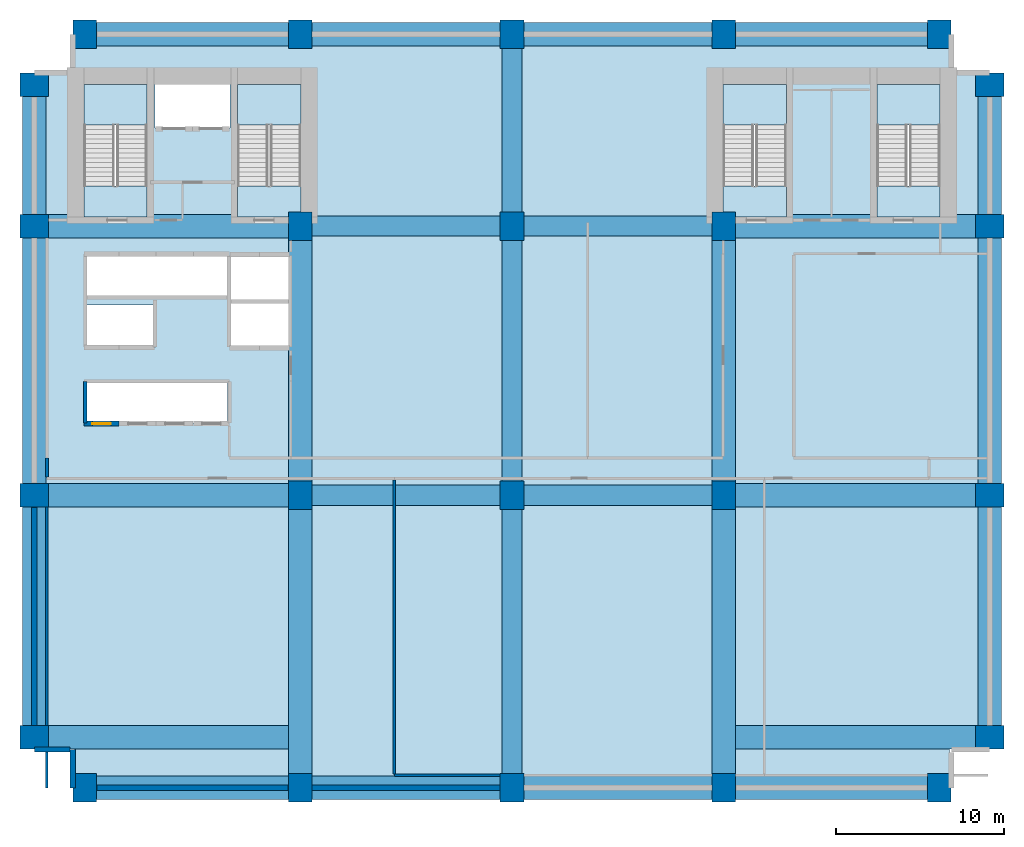
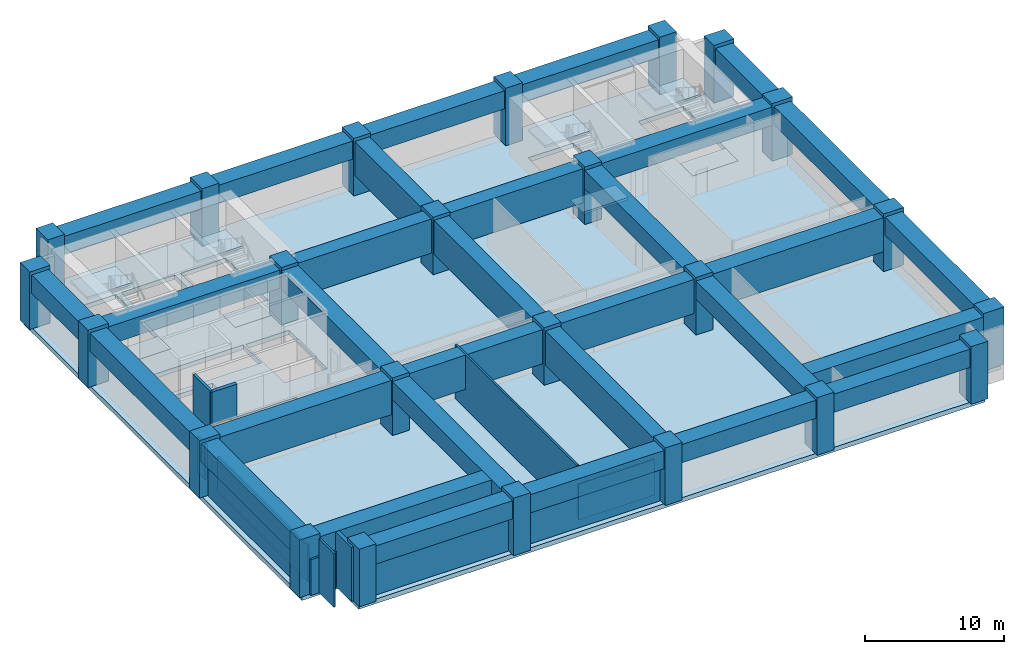
# One storey, part 1 of 6: 31 beams, 24 columns, 12 walls, 9 slabs, 1 door, 1 opening, 4 elements without a shape of their own.
"""IFC4 building model written with IfcOpenShell, lengths in metres."""

from ifc_helpers import new_model, si_unit, direction, frame, frame_2d, origin, origin_2d, place, context, subcontext, project, spatial, polyline, rectangle, outline, extrude, material, layer, layer_set, material_profile, profile_set, type_object, element, fill, aggregate, save


model = new_model("IFC4")

# Units and contexts
model_context = context("Model", 3, precision=1e-05, world=origin(), true_north=direction((0.0, 1.0)))
body_context = subcontext(model_context, "Body", "Model", "MODEL_VIEW")
ifc_project = project(units=[si_unit("LENGTHUNIT", "METRE"), si_unit("AREAUNIT", "SQUARE_METRE"), si_unit("VOLUMEUNIT", "CUBIC_METRE"), si_unit("PLANEANGLEUNIT", "RADIAN"), si_unit("MASSUNIT", "GRAM", prefix="KILO")], contexts=[model_context])

# Site, building, storey
site_placement = place(None, origin())
site = spatial("IfcSite", under=ifc_project, at=site_placement, CompositionType="ELEMENT")
building_placement = place(site_placement, origin())
building = spatial("IfcBuilding", under=site, at=building_placement, Name="Sulina Concourse Tower", CompositionType="ELEMENT")
storey_placement = place(building_placement, frame((0.0, 0.0, 17.550048828125)))
storey = spatial("IfcBuildingStorey", under=building, at=storey_placement, Name="L04", CompositionType="ELEMENT", Elevation=17.550048828125)

# Columns
ifc_material_1 = material(Name="Concrete C80/95", Category="concrete")
ifc_material_profile_1 = material_profile(ifc_material_1, rectangle(XDim=1.39990234375, YDim=1.699951171875, at=origin_2d()), Name="RC 1400x1700")
ifc_profile_set_1 = profile_set([ifc_material_profile_1], Name="Concrete C80/95")
column_type = type_object("IfcColumnType", Name="Station Podium Column 1400x1700", PredefinedType="COLUMN", material=ifc_profile_set_1)
for number, where, z_axis, x_axis, name in (
    (1, (3.60009765625, 0.60009765625, 0.0), (0.0, 0.0, 1.0), (1.0, 0.0, 0.0), "L04 structural column MC-S1"),
    (2, (3.60009765625, 45.39990234375, 0.0), (0.0, 0.0, 1.0), (1.0, 0.0, 0.0), "L04 structural column MC-N1"),
    (3, (16.39990234375, 0.60009765625, 0.0), (0.0, 0.0, 1.0), (1.0, 0.0, 0.0), "L04 structural column MC-S2"),
    (4, (16.39990234375, 45.39990234375, 0.0), (0.0, 0.0, 1.0), (1.0, 0.0, 0.0), "L04 structural column MC-N2"),
    (5, (29.0, 0.60009765625, 0.0), (0.0, 0.0, 1.0), (1.0, 0.0, 0.0), "L04 structural column MC-S3"),
    (6, (29.0, 45.39990234375, 0.0), (0.0, 0.0, 1.0), (1.0, 0.0, 0.0), "L04 structural column MC-N3"),
    (7, (41.60009765625, 0.60009765625, 0.0), (0.0, 0.0, 1.0), (1.0, 0.0, 0.0), "L04 structural column MC-S4"),
    (8, (41.60009765625, 45.39990234375, 0.0), (0.0, 0.0, 1.0), (1.0, 0.0, 0.0), "L04 structural column MC-N4"),
    (9, (54.39990234375, 0.60009765625, 0.0), (0.0, 0.0, 1.0), (1.0, 0.0, 0.0), "L04 structural column MC-S5"),
    (10, (54.39990234375, 45.39990234375, 0.0), (0.0, 0.0, 1.0), (1.0, 0.0, 0.0), "L04 structural column MC-N5"),
    (11, (0.60009765625, 3.60009765625, 0.0), (0.0, 0.0, 1.0), (0.0, 1.0, 0.0), "L04 structural column MC-W1"),
    (12, (57.39990234375, 3.60009765625, 0.0), (0.0, 0.0, 1.0), (0.0, 1.0, 0.0), "L04 structural column MC-E1"),
    (13, (0.60009765625, 18.0, 0.0), (0.0, 0.0, 1.0), (0.0, 1.0, 0.0), "L04 structural column MC-W2"),
    (14, (57.39990234375, 18.0, 0.0), (0.0, 0.0, 1.0), (0.0, 1.0, 0.0), "L04 structural column MC-E2"),
    (15, (0.60009765625, 34.0, 0.0), (0.0, 0.0, 1.0), (0.0, 1.0, 0.0), "L04 structural column MC-W3"),
    (16, (57.39990234375, 34.0, 0.0), (0.0, 0.0, 1.0), (0.0, 1.0, 0.0), "L04 structural column MC-E3"),
    (17, (0.60009765625, 42.39990234375, 0.0), (0.0, 0.0, 1.0), (0.0, 1.0, 0.0), "L04 structural column MC-W4"),
    (18, (57.39990234375, 42.39990234375, 0.0), (0.0, 0.0, 1.0), (0.0, 1.0, 0.0), "L04 structural column MC-E4"),
    (19, (16.39990234375, 18.0, 0.0), (0.0, 0.0, 1.0), (1.0, 0.0, 0.0), "L04 structural column MC-M1"),
    (20, (16.39990234375, 34.0, 0.0), (0.0, 0.0, 1.0), (1.0, 0.0, 0.0), "L04 structural column MC-C1"),
    (21, (29.0, 18.0, 0.0), (0.0, 0.0, 1.0), (1.0, 0.0, 0.0), "L04 structural column MC-M2"),
    (22, (29.0, 34.0, 0.0), (0.0, 0.0, 1.0), (1.0, 0.0, 0.0), "L04 structural column MC-C2"),
    (23, (41.60009765625, 18.0, 0.0), (0.0, 0.0, 1.0), (1.0, 0.0, 0.0), "L04 structural column MC-M3"),
    (24, (41.60009765625, 34.0, 0.0), (0.0, 0.0, 1.0), (1.0, 0.0, 0.0), "L04 structural column MC-C3"),
):
    element("IfcColumn", number, at=place(storey_placement, frame(where, z_axis=z_axis, x_axis=x_axis)), inside=storey, type_object=column_type, Name=name, PredefinedType="COLUMN", context=body_context, shape_type="SweptSolid", body=[
        extrude(rectangle(XDim=1.39990234375, YDim=1.699951171875, at=origin_2d()), origin(), (0.0, 0.0, 1.0), 5.050048828125),
    ])

# Beams
ifc_material_2 = material(Name="Concrete C60/75", Category="concrete")
ifc_material_profile_2 = material_profile(ifc_material_2, rectangle(XDim=1.39990234375, YDim=1.60009765625, at=origin_2d()), Name="RC 1400x1600")
ifc_profile_set_2 = profile_set([ifc_material_profile_2], Name="Concrete C60/75")
beam_type_1 = type_object("IfcBeamType", Name="Perimeter & Step Transfer Girder 1400x1600", PredefinedType="BEAM", material=ifc_profile_set_2)
for number, where, z_axis, x_axis, name in (
    (25, (4.280029296875, 0.60009765625, 3.949951171875), (1.0, 0.0, 0.0), (0.0, 1.0, 0.0), "PB-S1-L04"),
    (26, (4.280029296875, 45.39990234375, 3.949951171875), (1.0, 0.0, 0.0), (0.0, 1.0, 0.0), "PB-N1-L04"),
):
    element("IfcBeam", number, at=place(storey_placement, frame(where, z_axis=z_axis, x_axis=x_axis)), inside=storey, type_object=beam_type_1, Name=name, PredefinedType="BEAM", context=body_context, shape_type="SweptSolid", body=[
        extrude(rectangle(XDim=1.39990234375, YDim=1.60009765625, at=origin_2d()), origin(), (0.0, 0.0, 1.0), 11.43994140625),
    ])
beam_1_placement = place(storey_placement, frame((1.280029296875, 34.0, 3.949951171875), z_axis=(1.0, 0.0, 0.0), x_axis=(0.0, 1.0, 0.0)))
element("IfcBeam", 27, at=beam_1_placement, inside=storey, type_object=beam_type_1, Name="PB-C0-L04", PredefinedType="BEAM", context=body_context, shape_type="SweptSolid", body=[
    extrude(rectangle(XDim=1.39990234375, YDim=1.60009765625, at=origin_2d()), origin(), (0.0, 0.0, 1.0), 14.43994140625),
])
for number, where, z_axis, x_axis, name in (
    (28, (17.080078125, 0.60009765625, 3.949951171875), (1.0, 0.0, 0.0), (0.0, 1.0, 0.0), "PB-S2-L04"),
    (29, (17.080078125, 45.39990234375, 3.949951171875), (1.0, 0.0, 0.0), (0.0, 1.0, 0.0), "PB-N2-L04"),
    (30, (29.679931640625, 0.60009765625, 3.949951171875), (1.0, 0.0, 0.0), (0.0, 1.0, 0.0), "PB-S3-L04"),
    (31, (29.679931640625, 45.39990234375, 3.949951171875), (1.0, 0.0, 0.0), (0.0, 1.0, 0.0), "PB-N3-L04"),
):
    element("IfcBeam", number, at=place(storey_placement, frame(where, z_axis=z_axis, x_axis=x_axis)), inside=storey, type_object=beam_type_1, Name=name, PredefinedType="BEAM", context=body_context, shape_type="SweptSolid", body=[
        extrude(rectangle(XDim=1.39990234375, YDim=1.60009765625, at=origin_2d()), origin(), (0.0, 0.0, 1.0), 11.239990234375),
    ])
for number, where, z_axis, x_axis, name in (
    (32, (42.280029296875, 0.60009765625, 3.949951171875), (1.0, 0.0, 0.0), (0.0, 1.0, 0.0), "PB-S4-L04"),
    (33, (42.280029296875, 45.39990234375, 3.949951171875), (1.0, 0.0, 0.0), (0.0, 1.0, 0.0), "PB-N4-L04"),
):
    element("IfcBeam", number, at=place(storey_placement, frame(where, z_axis=z_axis, x_axis=x_axis)), inside=storey, type_object=beam_type_1, Name=name, PredefinedType="BEAM", context=body_context, shape_type="SweptSolid", body=[
        extrude(rectangle(XDim=1.39990234375, YDim=1.60009765625, at=origin_2d()), origin(), (0.0, 0.0, 1.0), 11.43994140625),
    ])
beam_2_placement = place(storey_placement, frame((42.280029296875, 34.0, 3.949951171875), z_axis=(1.0, 0.0, 0.0), x_axis=(0.0, 1.0, 0.0)))
element("IfcBeam", 34, at=beam_2_placement, inside=storey, type_object=beam_type_1, Name="PB-C5-L04", PredefinedType="BEAM", context=body_context, shape_type="SweptSolid", body=[
    extrude(rectangle(XDim=1.39990234375, YDim=1.60009765625, at=origin_2d()), origin(), (0.0, 0.0, 1.0), 14.43994140625),
])
for number, where, z_axis, x_axis, name in (
    (35, (0.60009765625, 4.280029296875, 3.949951171875), (0.0, 1.0, 0.0), (-1.0, 0.0, 0.0), "PB-W1-L04"),
    (36, (57.39990234375, 4.280029296875, 3.949951171875), (0.0, 1.0, 0.0), (-1.0, 0.0, 0.0), "PB-E1-L04"),
):
    element("IfcBeam", number, at=place(storey_placement, frame(where, z_axis=z_axis, x_axis=x_axis)), inside=storey, type_object=beam_type_1, Name=name, PredefinedType="BEAM", context=body_context, shape_type="SweptSolid", body=[
        extrude(rectangle(XDim=1.39990234375, YDim=1.60009765625, at=origin_2d()), origin(), (0.0, 0.0, 1.0), 13.0400390625),
    ])
for number, where, z_axis, x_axis, name in (
    (37, (0.60009765625, 18.679931640625, 3.949951171875), (0.0, 1.0, 0.0), (-1.0, 0.0, 0.0), "PB-W2-L04"),
    (38, (57.39990234375, 18.679931640625, 3.949951171875), (0.0, 1.0, 0.0), (-1.0, 0.0, 0.0), "PB-E2-L04"),
):
    element("IfcBeam", number, at=place(storey_placement, frame(where, z_axis=z_axis, x_axis=x_axis)), inside=storey, type_object=beam_type_1, Name=name, PredefinedType="BEAM", context=body_context, shape_type="SweptSolid", body=[
        extrude(rectangle(XDim=1.39990234375, YDim=1.60009765625, at=origin_2d()), origin(), (0.0, 0.0, 1.0), 14.64013671875),
    ])
for number, where, z_axis, x_axis, name in (
    (39, (0.60009765625, 34.679931640625, 3.949951171875), (0.0, 1.0, 0.0), (-1.0, 0.0, 0.0), "PB-W3-L04"),
    (40, (57.39990234375, 34.679931640625, 3.949951171875), (0.0, 1.0, 0.0), (-1.0, 0.0, 0.0), "PB-E3-L04"),
):
    element("IfcBeam", number, at=place(storey_placement, frame(where, z_axis=z_axis, x_axis=x_axis)), inside=storey, type_object=beam_type_1, Name=name, PredefinedType="BEAM", context=body_context, shape_type="SweptSolid", body=[
        extrude(rectangle(XDim=1.39990234375, YDim=1.60009765625, at=origin_2d()), origin(), (0.0, 0.0, 1.0), 7.0400390625),
    ])
beam_3_placement = place(storey_placement, frame((16.39990234375, 1.280029296875, 3.949951171875), z_axis=(0.0, 1.0, 0.0), x_axis=(-1.0, 0.0, 0.0)))
element("IfcBeam", 41, at=beam_3_placement, inside=storey, type_object=beam_type_1, Name="PB-NS1A-L04", PredefinedType="BEAM", context=body_context, shape_type="SweptSolid", body=[
    extrude(rectangle(XDim=1.39990234375, YDim=1.60009765625, at=origin_2d()), origin(), (0.0, 0.0, 1.0), 16.0400390625),
])
beam_4_placement = place(storey_placement, frame((16.39990234375, 18.679931640625, 3.949951171875), z_axis=(0.0, 1.0, 0.0), x_axis=(-1.0, 0.0, 0.0)))
element("IfcBeam", 42, at=beam_4_placement, inside=storey, type_object=beam_type_1, Name="PB-NS1B-L04", PredefinedType="BEAM", context=body_context, shape_type="SweptSolid", body=[
    extrude(rectangle(XDim=1.39990234375, YDim=1.60009765625, at=origin_2d()), origin(), (0.0, 0.0, 1.0), 14.64013671875),
])
beam_5_placement = place(storey_placement, frame((41.60009765625, 1.280029296875, 3.949951171875), z_axis=(0.0, 1.0, 0.0), x_axis=(-1.0, 0.0, 0.0)))
element("IfcBeam", 43, at=beam_5_placement, inside=storey, type_object=beam_type_1, Name="PB-NS3A-L04", PredefinedType="BEAM", context=body_context, shape_type="SweptSolid", body=[
    extrude(rectangle(XDim=1.39990234375, YDim=1.60009765625, at=origin_2d()), origin(), (0.0, 0.0, 1.0), 16.0400390625),
])
beam_6_placement = place(storey_placement, frame((41.60009765625, 18.679931640625, 3.949951171875), z_axis=(0.0, 1.0, 0.0), x_axis=(-1.0, 0.0, 0.0)))
element("IfcBeam", 44, at=beam_6_placement, inside=storey, type_object=beam_type_1, Name="PB-NS3B-L04", PredefinedType="BEAM", context=body_context, shape_type="SweptSolid", body=[
    extrude(rectangle(XDim=1.39990234375, YDim=1.60009765625, at=origin_2d()), origin(), (0.0, 0.0, 1.0), 14.64013671875),
])
for number, where, z_axis, x_axis, name in (
    (45, (1.280029296875, 3.60009765625, 3.949951171875), (1.0, 0.0, 0.0), (0.0, 1.0, 0.0), "TG-CSW-L04"),
    (46, (42.300048828125, 3.60009765625, 3.949951171875), (1.0, 0.0, 0.0), (0.0, 1.0, 0.0), "TG-CSE-L04"),
):
    element("IfcBeam", number, at=place(storey_placement, frame(where, z_axis=z_axis, x_axis=x_axis)), inside=storey, type_object=beam_type_1, Name=name, PredefinedType="BEAM", context=body_context, shape_type="SweptSolid", body=[
        extrude(rectangle(XDim=1.39990234375, YDim=1.60009765625, at=origin_2d()), origin(), (0.0, 0.0, 1.0), 14.419921875),
    ])
ifc_material_3 = material(Name="Concrete C60/75", Category="concrete")
ifc_material_profile_3 = material_profile(ifc_material_3, rectangle(XDim=1.199951171875, YDim=3.0, at=origin_2d()), Name="RC 1200x3000")
ifc_profile_set_3 = profile_set([ifc_material_profile_3], Name="Concrete C60/75")
beam_type_2 = type_object("IfcBeamType", Name="Station Podium Transfer Girder 1200x3000", PredefinedType="BEAM", material=ifc_profile_set_3)
for number, where, z_axis, x_axis, name in (
    (47, (17.080078125, 18.0, 3.25), (1.0, 0.0, 0.0), (0.0, 1.0, 0.0), "PB-M2-L04"),
    (48, (17.080078125, 34.0, 3.25), (1.0, 0.0, 0.0), (0.0, 1.0, 0.0), "PB-C2-L04"),
    (49, (29.679931640625, 18.0, 3.25), (1.0, 0.0, 0.0), (0.0, 1.0, 0.0), "PB-M3-L04"),
    (50, (29.679931640625, 34.0, 3.25), (1.0, 0.0, 0.0), (0.0, 1.0, 0.0), "PB-C3-L04"),
):
    element("IfcBeam", number, at=place(storey_placement, frame(where, z_axis=z_axis, x_axis=x_axis)), inside=storey, type_object=beam_type_2, Name=name, PredefinedType="BEAM", context=body_context, shape_type="SweptSolid", body=[
        extrude(rectangle(XDim=1.199951171875, YDim=3.0, at=origin_2d()), origin(), (0.0, 0.0, 1.0), 11.239990234375),
    ])
beam_7_placement = place(storey_placement, frame((29.0, 1.280029296875, 3.25), z_axis=(0.0, 1.0, 0.0), x_axis=(-1.0, 0.0, 0.0)))
element("IfcBeam", 51, at=beam_7_placement, inside=storey, type_object=beam_type_2, Name="PB-NS2A-L04", PredefinedType="BEAM", context=body_context, shape_type="SweptSolid", body=[
    extrude(rectangle(XDim=1.199951171875, YDim=3.0, at=origin_2d()), origin(), (0.0, 0.0, 1.0), 16.0400390625),
])
beam_8_placement = place(storey_placement, frame((29.0, 18.679931640625, 3.25), z_axis=(0.0, 1.0, 0.0), x_axis=(-1.0, 0.0, 0.0)))
element("IfcBeam", 52, at=beam_8_placement, inside=storey, type_object=beam_type_2, Name="PB-NS2B-L04", PredefinedType="BEAM", context=body_context, shape_type="SweptSolid", body=[
    extrude(rectangle(XDim=1.199951171875, YDim=3.0, at=origin_2d()), origin(), (0.0, 0.0, 1.0), 14.64013671875),
])
beam_9_placement = place(storey_placement, frame((29.0, 34.679931640625, 3.25), z_axis=(0.0, 1.0, 0.0), x_axis=(-1.0, 0.0, 0.0)))
element("IfcBeam", 53, at=beam_9_placement, inside=storey, type_object=beam_type_2, Name="PB-NS2C-L04", PredefinedType="BEAM", context=body_context, shape_type="SweptSolid", body=[
    extrude(rectangle(XDim=1.199951171875, YDim=3.0, at=origin_2d()), origin(), (0.0, 0.0, 1.0), 10.0400390625),
])
ifc_material_4 = material(Name="Concrete C60/75", Category="concrete")
ifc_material_profile_4 = material_profile(ifc_material_4, rectangle(XDim=1.39990234375, YDim=3.0, at=origin_2d()), Name="RC 1400x3000")
ifc_profile_set_4 = profile_set([ifc_material_profile_4], Name="Concrete C60/75")
beam_type_3 = type_object("IfcBeamType", Name="Station Podium Transfer Girder 1400x3000", PredefinedType="BEAM", material=ifc_profile_set_4)
for number, where, z_axis, x_axis, name in (
    (54, (1.280029296875, 18.0, 3.25), (1.0, 0.0, 0.0), (0.0, 1.0, 0.0), "PB-M0-L04"),
    (55, (42.280029296875, 18.0, 3.25), (1.0, 0.0, 0.0), (0.0, 1.0, 0.0), "PB-M5-L04"),
):
    element("IfcBeam", number, at=place(storey_placement, frame(where, z_axis=z_axis, x_axis=x_axis)), inside=storey, type_object=beam_type_3, Name=name, PredefinedType="BEAM", context=body_context, shape_type="SweptSolid", body=[
        extrude(rectangle(XDim=1.39990234375, YDim=3.0, at=origin_2d()), origin(), (0.0, 0.0, 1.0), 14.43994140625),
    ])

# Slabs
ifc_material_5 = material(Name="Concrete C50/60", Category="concrete")
ifc_layer_1 = layer(ifc_material_5, 0.199951171875)
ifc_layer_set_1 = layer_set([ifc_layer_1], Name="Concrete C50/60")
slab_type_1 = type_object("IfcSlabType", Name="Primary Core Stair Landing Slab 200mm", PredefinedType="LANDING", material=ifc_layer_set_1)
slab_1_placement = place(storey_placement, frame((0.0, 0.0, -0.199951171875)))
element("IfcSlab", 56, at=slab_1_placement, inside=storey, type_object=slab_type_1, Name="L04 ST-1 floor landing slab", PredefinedType="LANDING", context=body_context, shape_type="SweptSolid", body=[
    extrude(outline(polyline([(7.31005859375, 34.550048828125), (7.31005859375, 36.375), (3.550048828125, 36.375), (3.550048828125, 34.550048828125), (7.31005859375, 34.550048828125)])), origin(), (0.0, 0.0, 1.0), 0.199951171875),
])
slab_2_placement = place(storey_placement, frame((0.0, 0.0, -0.199951171875)))
element("IfcSlab", 57, at=slab_2_placement, inside=storey, type_object=slab_type_1, Name="L04 ST-2 floor landing slab", PredefinedType="LANDING", context=body_context, shape_type="SweptSolid", body=[
    extrude(outline(polyline([(16.449951171875, 34.550048828125), (16.449951171875, 36.375), (12.68994140625, 36.375), (12.68994140625, 34.550048828125), (16.449951171875, 34.550048828125)])), origin(), (0.0, 0.0, 1.0), 0.199951171875),
])
slab_3_placement = place(storey_placement, frame((0.0, 0.0, -0.199951171875)))
element("IfcSlab", 58, at=slab_3_placement, inside=storey, type_object=slab_type_1, Name="L04 ST-3 floor landing slab", PredefinedType="LANDING", context=body_context, shape_type="SweptSolid", body=[
    extrude(outline(polyline([(45.31005859375, 34.550048828125), (45.31005859375, 36.375), (41.550048828125, 36.375), (41.550048828125, 34.550048828125), (45.31005859375, 34.550048828125)])), origin(), (0.0, 0.0, 1.0), 0.199951171875),
])
slab_4_placement = place(storey_placement, frame((0.0, 0.0, -0.199951171875)))
element("IfcSlab", 59, at=slab_4_placement, inside=storey, type_object=slab_type_1, Name="L04 ST-4 floor landing slab", PredefinedType="LANDING", context=body_context, shape_type="SweptSolid", body=[
    extrude(outline(polyline([(54.449951171875, 34.550048828125), (54.449951171875, 36.375), (50.68994140625, 36.375), (50.68994140625, 34.550048828125), (54.449951171875, 34.550048828125)])), origin(), (0.0, 0.0, 1.0), 0.199951171875),
])

# Stair, slab
ifc_material_6 = material(Name="Concrete C50/60", Category="concrete")
stair_type_1 = type_object("IfcStairType", Name="Primary Core Dog-Leg Exit Stair 1800mm", PredefinedType="HALF_TURN_STAIR", material=ifc_material_6)
stair_1_placement = place(storey_placement, origin())
stair_1 = element("IfcStair", 60, at=stair_1_placement, inside=storey, type_object=stair_type_1, Name="L04 ST-1", PredefinedType="HALF_TURN_STAIR")
slab_5_placement = place(storey_placement, frame((0.0, 0.0, 2.324951171875)))
slab_5 = element("IfcSlab", 61, at=slab_5_placement, type_object=slab_type_1, Name="ST-1 landing 1", PredefinedType="LANDING", context=body_context, shape_type="SweptSolid", body=[
    extrude(outline(polyline([(7.304931640625, 40.014892578125), (7.304931640625, 42.425048828125), (3.554931640625, 42.425048828125), (3.554931640625, 40.014892578125), (7.304931640625, 40.014892578125)])), origin(), (0.0, 0.0, 1.0), 0.199951171875),
])
aggregate(stair_1, [slab_5])

stair_2_placement = place(storey_placement, origin())
stair_2 = element("IfcStair", 62, at=stair_2_placement, inside=storey, type_object=stair_type_1, Name="L04 ST-2", PredefinedType="HALF_TURN_STAIR")
slab_6_placement = place(storey_placement, frame((0.0, 0.0, 2.324951171875)))
slab_6 = element("IfcSlab", 63, at=slab_6_placement, type_object=slab_type_1, Name="ST-2 landing 1", PredefinedType="LANDING", context=body_context, shape_type="SweptSolid", body=[
    extrude(outline(polyline([(16.445068359375, 40.014892578125), (16.445068359375, 42.425048828125), (12.695068359375, 42.425048828125), (12.695068359375, 40.014892578125), (16.445068359375, 40.014892578125)])), origin(), (0.0, 0.0, 1.0), 0.199951171875),
])
aggregate(stair_2, [slab_6])

ifc_material_7 = material(Name="Concrete C50/60", Category="concrete")
stair_type_2 = type_object("IfcStairType", Name="Portal & Podium Core Exit Stair 1820mm", PredefinedType="HALF_TURN_STAIR", material=ifc_material_7)
stair_3_placement = place(storey_placement, origin())
stair_3 = element("IfcStair", 64, at=stair_3_placement, inside=storey, type_object=stair_type_2, Name="L04 ST-3", PredefinedType="HALF_TURN_STAIR")
slab_7_placement = place(storey_placement, frame((0.0, 0.0, 2.324951171875)))
slab_7 = element("IfcSlab", 65, at=slab_7_placement, type_object=slab_type_1, Name="ST-3 landing 1", PredefinedType="LANDING", context=body_context, shape_type="SweptSolid", body=[
    extrude(outline(polyline([(45.304931640625, 40.014892578125), (45.304931640625, 42.425048828125), (41.554931640625, 42.425048828125), (41.554931640625, 40.014892578125), (45.304931640625, 40.014892578125)])), origin(), (0.0, 0.0, 1.0), 0.199951171875),
])
aggregate(stair_3, [slab_7])

stair_4_placement = place(storey_placement, origin())
stair_4 = element("IfcStair", 66, at=stair_4_placement, inside=storey, type_object=stair_type_2, Name="L04 ST-4", PredefinedType="HALF_TURN_STAIR")
slab_8_placement = place(storey_placement, frame((0.0, 0.0, 2.324951171875)))
slab_8 = element("IfcSlab", 67, at=slab_8_placement, type_object=slab_type_1, Name="ST-4 landing 1", PredefinedType="LANDING", context=body_context, shape_type="SweptSolid", body=[
    extrude(outline(polyline([(54.445068359375, 40.014892578125), (54.445068359375, 42.425048828125), (50.695068359375, 42.425048828125), (50.695068359375, 40.014892578125), (54.445068359375, 40.014892578125)])), origin(), (0.0, 0.0, 1.0), 0.199951171875),
])
aggregate(stair_4, [slab_8])

# Slab
ifc_material_8 = material(Name="Concrete C60/75", Category="concrete")
ifc_layer_2 = layer(ifc_material_8, 0.39990234375)
ifc_layer_set_2 = layer_set([ifc_layer_2], Name="Concrete C60/75")
slab_type_2 = type_object("IfcSlabType", Name="Station Concourse & Transfer Slab 400mm", PredefinedType="FLOOR", material=ifc_layer_set_2)
slab_9_placement = place(storey_placement, frame((0.0, 0.0, -0.400146484375)))
element("IfcSlab", 68, at=slab_9_placement, inside=storey, type_object=slab_type_2, Name="L04 structural floor slab", PredefinedType="FLOOR", context=body_context, shape_type="SweptSolid", body=[
    extrude(outline(polyline([(3.0, 0.0), (55.0, 0.0), (55.0, 3.0), (58.0, 3.0), (58.0, 43.0), (55.0, 43.0), (55.0, 46.0), (3.0, 46.0), (3.0, 43.0), (0.0, 43.0), (0.0, 3.0), (3.0, 3.0), (3.0, 0.0)]), holes=[polyline([(7.31005859375, 34.550048828125), (7.31005859375, 42.429931640625), (3.550048828125, 42.429931640625), (3.550048828125, 34.550048828125), (7.31005859375, 34.550048828125)]), polyline([(16.449951171875, 34.550048828125), (16.449951171875, 42.429931640625), (12.68994140625, 42.429931640625), (12.68994140625, 34.550048828125), (16.449951171875, 34.550048828125)]), polyline([(45.31005859375, 34.550048828125), (45.31005859375, 42.429931640625), (41.550048828125, 42.429931640625), (41.550048828125, 34.550048828125), (45.31005859375, 34.550048828125)]), polyline([(54.449951171875, 34.550048828125), (54.449951171875, 42.429931640625), (50.68994140625, 42.429931640625), (50.68994140625, 34.550048828125), (54.449951171875, 34.550048828125)]), polyline([(7.780029296875, 39.830078125), (12.219970703125, 39.830078125), (12.219970703125, 42.449951171875), (7.780029296875, 42.449951171875), (7.780029296875, 39.830078125)]), polyline([(3.739990234375, 26.780029296875), (7.77001953125, 26.780029296875), (7.77001953125, 29.320068359375), (3.739990234375, 29.320068359375), (3.739990234375, 26.780029296875)]), polyline([(3.739990234375, 29.780029296875), (12.10009765625, 29.780029296875), (12.10009765625, 32.3701171875), (3.739990234375, 32.3701171875), (3.739990234375, 29.780029296875)]), polyline([(3.739990234375, 22.280029296875), (12.10009765625, 22.280029296875), (12.10009765625, 24.77001953125), (3.739990234375, 24.77001953125), (3.739990234375, 22.280029296875)]), polyline([(12.280029296875, 26.780029296875), (15.85009765625, 26.780029296875), (15.85009765625, 32.320068359375), (12.280029296875, 32.320068359375), (12.280029296875, 26.780029296875)])]), origin(), (0.0, 0.0, 1.0), 0.400146484375),
])

# Wall
ifc_material_9 = material(Name="Concrete C50/60", Category="concrete")
ifc_layer_3 = layer(ifc_material_9, 0.219970703125)
ifc_layer_set_3 = layer_set([ifc_layer_3], Name="Concrete C50/60")
wall_type_1 = type_object("IfcWallType", Name="Core Lift Hoistway Divider Wall 220mm", PredefinedType="SOLIDWALL", material=ifc_layer_set_3)
wall_1_placement = place(storey_placement, frame((3.6298828125, 22.300048828125, 0.0), z_axis=(0.0, 0.0, 1.0), x_axis=(0.0, 1.0, 0.0)))
element("IfcWall", 69, at=wall_1_placement, inside=storey, type_object=wall_type_1, Name="L04 shaft divider wall HW-LP1-W", PredefinedType="SOLIDWALL", context=body_context, shape_type="SweptSolid", body=[
    extrude(rectangle(XDim=2.449951171875, YDim=0.219970703125, at=frame_2d((1.22509765625, 0.0))), origin(), (0.0, 0.0, 1.0), 5.050048828125),
])

# Wall, opening, door
ifc_material_10 = material(Name="Concrete C50/60", Category="concrete")
ifc_layer_4 = layer(ifc_material_10, 0.300048828125)
ifc_layer_set_4 = layer_set([ifc_layer_4], Name="Concrete C50/60")
wall_type_2 = type_object("IfcWallType", Name="Core Lift Hoistway Wall 300mm", PredefinedType="SOLIDWALL", material=ifc_layer_set_4)
wall_2_placement = place(storey_placement, frame((5.64990234375, 22.25, 0.0), z_axis=(0.0, 0.0, 1.0), x_axis=(-1.0, 0.0, 0.0)))
wall_2 = element("IfcWall", 70, at=wall_2_placement, inside=storey, type_object=wall_type_2, Name="L04 hoistway enclosure wall LP-01", PredefinedType="SOLIDWALL", context=body_context, shape_type="SweptSolid", body=[
    extrude(rectangle(XDim=2.099853515625, YDim=0.300048828125, at=frame_2d((1.0498046875, 0.0))), origin(), (0.0, 0.0, 1.0), 5.050048828125),
])
opening_placement = place(wall_2_placement, frame((0.5, 0.0, 0.0)))
opening = element("IfcOpeningElement", 71, at=opening_placement, cuts=wall_2, Name="Opening LD-01", PredefinedType="OPENING", context=body_context, shape_type="SweptSolid", body=[
    extrude(rectangle(XDim=1.10009765625, YDim=2.199951171875, at=frame_2d((0.550048828125, 1.10009765625))), frame((0.0, 0.159912109375, 0.0), z_axis=(0.0, -1.0, 0.0), x_axis=(1.0, 0.0, 0.0)), (0.0, 0.0, 1.0), 0.320068359375),
])
ifc_material_11 = material(Name="Stainless steel lift landing door", Category="steel")
ifc_layer_5 = layer(ifc_material_11, 0.050048828125)
ifc_layer_set_5 = layer_set([ifc_layer_5], Name="Stainless steel lift landing door")
door_type = type_object("IfcDoorType", Name="Passenger Lift Sliding Landing Door 1100x2200", OperationType="SLIDING_TO_LEFT", PredefinedType="DOOR", material=ifc_layer_set_5)
door_placement = place(opening_placement, origin())
door = element("IfcDoor", 72, at=door_placement, inside=storey, type_object=door_type, Name="L04 lift landing sliding door LP-01", OperationType="SLIDING_TO_LEFT", OverallHeight=2.199951171875, OverallWidth=1.10009765625, PredefinedType="DOOR", context=body_context, shape_type="SweptSolid", body=[
    extrude(rectangle(XDim=1.10009765625, YDim=2.199951171875, at=frame_2d((0.550048828125, 1.10009765625))), frame((0.0, 0.02490234375, 0.0), z_axis=(0.0, -1.0, 0.0), x_axis=(1.0, 0.0, 0.0)), (0.0, 0.0, 1.0), 0.050048828125),
])
fill(opening, door)

# Walls
ifc_material_12 = material(Name="Gypsum board on steel stud", Category="steel")
ifc_layer_6 = layer(ifc_material_12, 0.14990234375)
ifc_layer_set_6 = layer_set([ifc_layer_6], Name="Gypsum board on steel stud")
wall_type_3 = type_object("IfcWallType", Name="Inter-Tenancy Acoustic Partition 150mm", PredefinedType="PARTITIONING", material=ifc_layer_set_6)
wall_3_placement = place(storey_placement, frame((22.0, 1.35009765625, 0.0), z_axis=(0.0, 0.0, 1.0), x_axis=(1.0, 0.0, 0.0)))
element("IfcWall", 73, at=wall_3_placement, inside=storey, type_object=wall_type_3, Name="L04 interior partition 001", PredefinedType="PARTITIONING", context=body_context, shape_type="SweptSolid", body=[
    extrude(rectangle(XDim=6.300048828125, YDim=0.14990234375, at=frame_2d((3.14990234375, 0.0))), origin(), (0.0, 0.0, 1.0), 3.14501953125),
])
wall_4_placement = place(storey_placement, frame((1.35009765625, 0.60009765625, 0.0), z_axis=(0.0, 0.0, 1.0), x_axis=(0.0, 1.0, 0.0)))
element("IfcWall", 74, at=wall_4_placement, inside=storey, type_object=wall_type_3, Name="L04 interior partition 021", PredefinedType="PARTITIONING", context=body_context, shape_type="SweptSolid", body=[
    extrude(rectangle(XDim=2.119873046875, YDim=0.14990234375, at=frame_2d((1.06005859375, 0.0))), origin(), (0.0, 0.0, 1.0), 4.75),
])
wall_5_placement = place(storey_placement, frame((1.35009765625, 4.300048828125, 0.0), z_axis=(0.0, 0.0, 1.0), x_axis=(0.0, 1.0, 0.0)))
element("IfcWall", 75, at=wall_5_placement, inside=storey, type_object=wall_type_3, Name="L04 interior partition 022", PredefinedType="PARTITIONING", context=body_context, shape_type="SweptSolid", body=[
    extrude(rectangle(XDim=13.0, YDim=0.14990234375, at=frame_2d((6.5, 0.0))), origin(), (0.0, 0.0, 1.0), 3.14501953125),
])
wall_6_placement = place(storey_placement, frame((22.0, 1.425048828125, 0.0), z_axis=(0.0, 0.0, 1.0), x_axis=(0.0, 1.0, 0.0)))
element("IfcWall", 76, at=wall_6_placement, inside=storey, type_object=wall_type_3, Name="L04 interior partition 030", PredefinedType="PARTITIONING", context=body_context, shape_type="SweptSolid", body=[
    extrude(rectangle(XDim=17.48486328125, YDim=0.14990234375, at=frame_2d((8.742431640625, 0.0))), origin(), (0.0, 0.0, 1.0), 4.75),
])
ifc_material_13 = material(Name="Precast concrete C50/60", Category="concrete")
ifc_layer_7 = layer(ifc_material_13, 0.320068359375)
ifc_layer_set_7 = layer_set([ifc_layer_7], Name="Precast concrete C50/60")
wall_type_4 = type_object("IfcWallType", Name="Lower Precast Masonry-Frame Facade Wall 320mm", PredefinedType="SOLIDWALL", material=ifc_layer_set_7)
wall_7_placement = place(storey_placement, frame((15.679931640625, 0.60009765625, 0.0), z_axis=(0.0, 0.0, 1.0), x_axis=(-1.0, 0.0, 0.0)))
element("IfcWall", 77, at=wall_7_placement, inside=storey, type_object=wall_type_4, Name="L04 exterior precast wall S1", PredefinedType="SOLIDWALL", context=body_context, shape_type="SweptSolid", body=[
    extrude(rectangle(XDim=11.35986328125, YDim=0.320068359375, at=frame_2d((5.679931640625, 0.0))), origin(), (0.0, 0.0, 1.0), 3.14990234375),
])
wall_8_placement = place(storey_placement, frame((28.280029296875, 0.60009765625, 0.0), z_axis=(0.0, 0.0, 1.0), x_axis=(-1.0, 0.0, 0.0)))
element("IfcWall", 78, at=wall_8_placement, inside=storey, type_object=wall_type_4, Name="L04 exterior precast wall S2", PredefinedType="SOLIDWALL", context=body_context, shape_type="SweptSolid", body=[
    extrude(rectangle(XDim=11.159912109375, YDim=0.320068359375, at=frame_2d((5.580078125, 0.0))), origin(), (0.0, 0.0, 1.0), 3.14990234375),
])
wall_9_placement = place(storey_placement, frame((0.60009765625, 4.320068359375, 0.0), z_axis=(0.0, 0.0, 1.0), x_axis=(0.0, 1.0, 0.0)))
element("IfcWall", 79, at=wall_9_placement, inside=storey, type_object=wall_type_4, Name="L04 exterior precast wall W1", PredefinedType="SOLIDWALL", context=body_context, shape_type="SweptSolid", body=[
    extrude(rectangle(XDim=12.9599609375, YDim=0.320068359375, at=frame_2d((6.47998046875, 0.0))), origin(), (0.0, 0.0, 1.0), 3.14990234375),
])
wall_10_placement = place(storey_placement, frame((2.8798828125, 0.60009765625, 0.0), z_axis=(0.0, 0.0, 1.0), x_axis=(0.0, 1.0, 0.0)))
element("IfcWall", 80, at=wall_10_placement, inside=storey, type_object=wall_type_4, Name="L04 exterior precast wall CSW1", PredefinedType="SOLIDWALL", context=body_context, shape_type="SweptSolid", body=[
    extrude(rectangle(XDim=2.27978515625, YDim=0.320068359375, at=frame_2d((1.139892578125, 0.0))), origin(), (0.0, 0.0, 1.0), 4.75),
])
wall_11_placement = place(storey_placement, frame((2.715087890625, 2.8798828125, 0.0), z_axis=(0.0, 0.0, 1.0), x_axis=(-1.0, 0.0, 0.0)))
element("IfcWall", 81, at=wall_11_placement, inside=storey, type_object=wall_type_4, Name="L04 exterior precast wall CSW2", PredefinedType="SOLIDWALL", context=body_context, shape_type="SweptSolid", body=[
    extrude(rectangle(XDim=2.114990234375, YDim=0.320068359375, at=frame_2d((1.0576171875, 0.0))), origin(), (0.0, 0.0, 1.0), 3.14990234375),
])
ifc_material_14 = material(Name="Gypsum board on steel stud", Category="steel")
ifc_layer_8 = layer(ifc_material_14, 0.179931640625)
ifc_layer_set_8 = layer_set([ifc_layer_8], Name="Gypsum board on steel stud")
wall_type_5 = type_object("IfcWallType", Name="Protected Corridor & Riser Partition 180mm", PredefinedType="PARTITIONING", material=ifc_layer_set_8)
wall_12_placement = place(storey_placement, frame((1.35009765625, 19.090087890625, 0.0), z_axis=(0.0, 0.0, 1.0), x_axis=(0.0, 1.0, 0.0)))
element("IfcWall", 82, at=wall_12_placement, inside=storey, type_object=wall_type_5, Name="L04 interior partition 023", PredefinedType="PARTITIONING", context=body_context, shape_type="SweptSolid", body=[
    extrude(rectangle(XDim=1.10986328125, YDim=0.179931640625, at=frame_2d((0.554931640625, 0.0))), origin(), (0.0, 0.0, 1.0), 3.14501953125),
])

save(model, "model.ifc")
